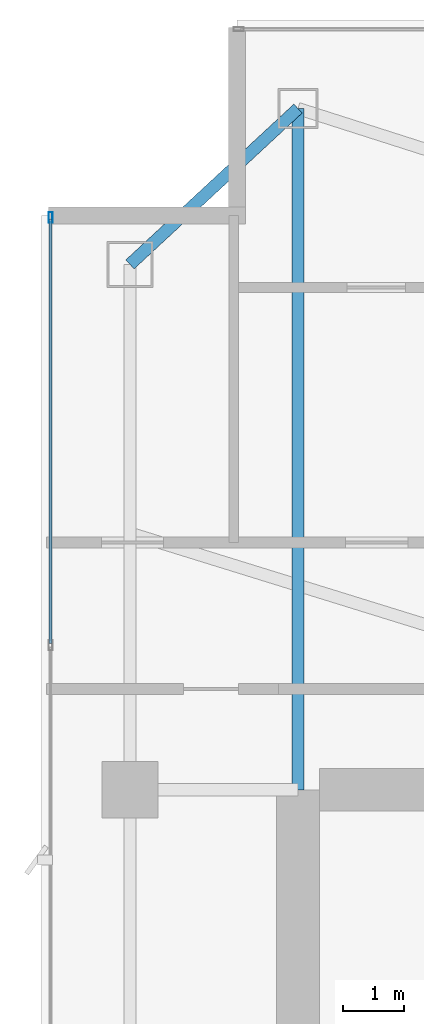
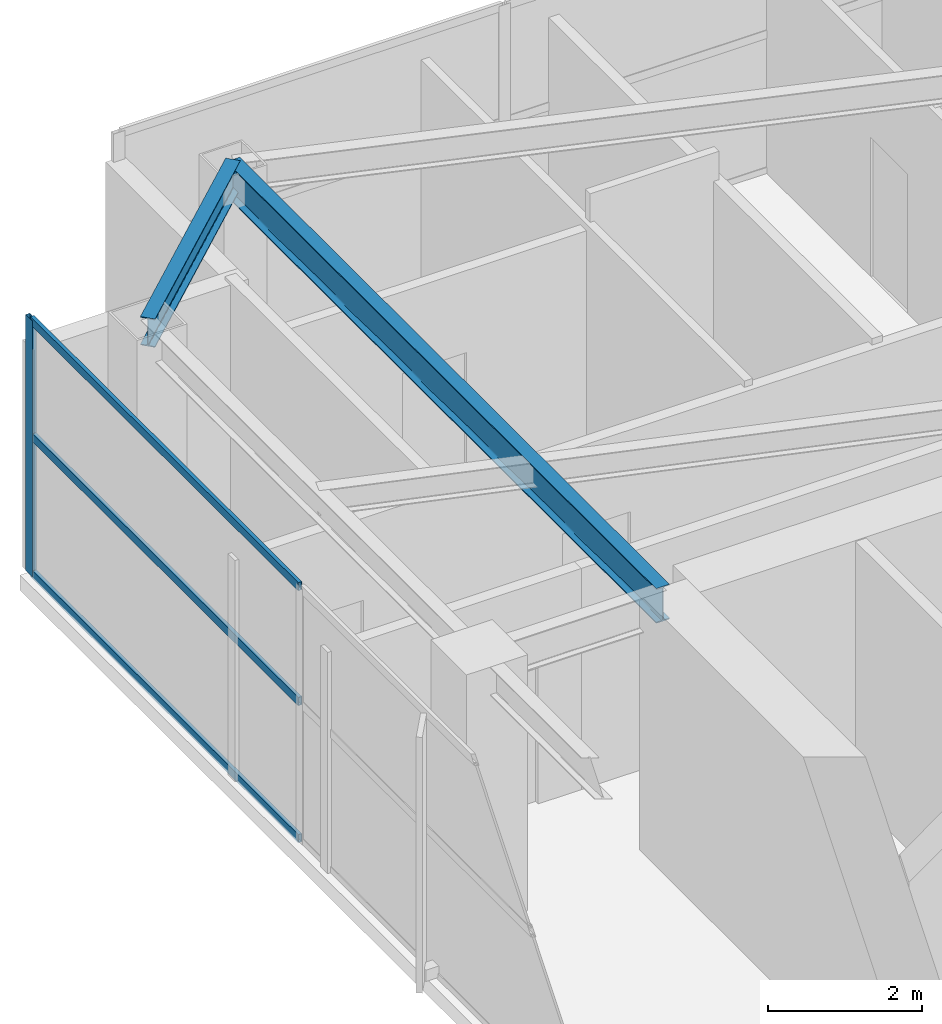
# One storey, part 17 of 29: 4 members, 2 beams, 1 element without a shape of its own.
"""IFC4 building model written with IfcOpenShell, lengths in metres."""

from ifc_helpers import new_model, si_unit, direction, frame, origin, origin_2d, place, context, subcontext, project, spatial, hollow_rectangle, i_section, extrude, material, layer, layer_set, material_profile, profile_set, type_object, element, aggregate, save


model = new_model("IFC4")

# Units and contexts
model_context = context("Model", 3, precision=1e-05, world=origin(), true_north=direction((0.0, 1.0)))
body_context = subcontext(model_context, "Body", "Model", "MODEL_VIEW")
ifc_project = project(units=[si_unit("LENGTHUNIT", "METRE"), si_unit("AREAUNIT", "SQUARE_METRE"), si_unit("VOLUMEUNIT", "CUBIC_METRE"), si_unit("PLANEANGLEUNIT", "RADIAN"), si_unit("MASSUNIT", "GRAM", prefix="KILO")], contexts=[model_context])

# Site, building, storey
site_placement = place(None, origin())
site = spatial("IfcSite", under=ifc_project, at=site_placement, CompositionType="ELEMENT")
building_placement = place(site_placement, origin())
building = spatial("IfcBuilding", under=site, at=building_placement, Name="Calvorn Quay Hotel", CompositionType="ELEMENT")
storey_placement = place(building_placement, frame((0.0, 0.0, 259.0)))
storey = spatial("IfcBuildingStorey", under=building, at=storey_placement, Name="L64", CompositionType="ELEMENT", Elevation=259.0)

# Beams
ifc_material_1 = material(Name="Steel Q355B", Category="steel")
ifc_material_profile_1 = material_profile(ifc_material_1, i_section(OverallWidth=0.199951171875, OverallDepth=0.550048828125, WebThickness=0.010009765625, FlangeThickness=0.01611328125, FilletRadius=0.01806640625, at=origin_2d()), Name="HN550x200x10x16")
ifc_profile_set_1 = profile_set([ifc_material_profile_1], Name="Steel Q355B")
beam_type_1 = type_object("IfcBeamType", Name="BM-GIRD-UPP", PredefinedType="BEAM", material=ifc_profile_set_1)
beam_1_placement = place(storey_placement, frame((4.199951171875, 49.550048828125, 3.77490234375), z_axis=(0.0, -1.0, 0.0), x_axis=(1.0, 0.0, 0.0)))
element("IfcBeam", 1, at=beam_1_placement, inside=storey, type_object=beam_type_1, Name="Beam BG-L64-W5", PredefinedType="BEAM", context=body_context, shape_type="SweptSolid", body=[
    extrude(i_section(OverallWidth=0.199951171875, OverallDepth=0.550048828125, WebThickness=0.010009765625, FlangeThickness=0.01611328125, FilletRadius=0.01806640625, at=origin_2d()), origin(), (0.0, 0.0, 1.0), 11.150146484375),
])
ifc_material_2 = material(Name="Steel Q355B", Category="steel")
ifc_material_profile_2 = material_profile(ifc_material_2, i_section(OverallWidth=0.199951171875, OverallDepth=0.449951171875, WebThickness=0.009033203125, FlangeThickness=0.013916015625, FilletRadius=0.01611328125, at=origin_2d()), Name="HN450x200x9x14")
ifc_profile_set_2 = profile_set([ifc_material_profile_2], Name="Steel Q355B")
beam_type_2 = type_object("IfcBeamType", Name="BM-SPANDREL-Z3", PredefinedType="SPANDREL", material=ifc_profile_set_2)
beam_2_placement = place(storey_placement, frame((1.449951171875, 47.0, 3.824951171875), z_axis=(0.733261665538, 0.679946563969, 0.0), x_axis=(-0.679946563969, 0.733261665538, 0.0)))
element("IfcBeam", 2, at=beam_2_placement, inside=storey, type_object=beam_type_2, Name="Beam BSP-L64-W5", PredefinedType="SPANDREL", context=body_context, shape_type="SweptSolid", body=[
    extrude(i_section(OverallWidth=0.199951171875, OverallDepth=0.449951171875, WebThickness=0.009033203125, FlangeThickness=0.013916015625, FilletRadius=0.01611328125, at=origin_2d()), origin(), (0.0, 0.0, 1.0), 3.75048828125),
])

# Curtain wall, members
ifc_material_3 = material(Name="Champagne Bronze Anodised Aluminium and Low-E Glass", Category="aluminium")
ifc_layer = layer(ifc_material_3, 0.219970703125)
ifc_layer_set = layer_set([ifc_layer], Name="CW-SYS-Z4")
curtain_wall_type = type_object("IfcCurtainWallType", Name="CW-SYS-Z4", PredefinedType="NOTDEFINED", material=ifc_layer_set)
curtain_wall_placement = place(storey_placement, origin())
curtain_wall = element("IfcCurtainWall", 3, at=curtain_wall_placement, inside=storey, type_object=curtain_wall_type, Name="Tower West Curtain Wall (L64)", PredefinedType="NOTDEFINED")
ifc_material_4 = material(Name="Champagne Bronze Anodised Aluminium 6063-T6", Category="aluminium")
ifc_material_profile_3 = material_profile(ifc_material_4, hollow_rectangle(XDim=0.06494140625, YDim=0.169921875, WallThickness=0.00341796875, at=origin_2d()), Name="ALU-M170x65x3.5")
ifc_profile_set_3 = profile_set([ifc_material_profile_3], Name="Champagne Bronze Anodised Aluminium 6063-T6")
member_type_1 = type_object("IfcMemberType", Name="CW-SYS-Z4-MUL", PredefinedType="MULLION", material=ifc_profile_set_3)
member_1_placement = place(storey_placement, frame((0.14990234375, 47.77001953125, 0.0), z_axis=(0.0, 0.0, 1.0), x_axis=(-1.0, 0.0, 0.0)))
member_1 = element("IfcMember", 4, at=member_1_placement, type_object=member_type_1, Name="CW-L64-W mullion 7", PredefinedType="MULLION", context=body_context, shape_type="SweptSolid", body=[
    extrude(hollow_rectangle(XDim=0.06494140625, YDim=0.169921875, WallThickness=0.00341796875, at=origin_2d()), origin(), (0.0, 0.0, 1.0), 4.050048828125),
])
ifc_material_5 = material(Name="Champagne Bronze Anodised Aluminium 6063-T6", Category="aluminium")
ifc_material_profile_4 = material_profile(ifc_material_5, hollow_rectangle(XDim=0.054931640625, YDim=0.1298828125, WallThickness=0.003173828125, at=origin_2d()), Name="ALU-T130x55x3.2")
ifc_profile_set_4 = profile_set([ifc_material_profile_4], Name="Champagne Bronze Anodised Aluminium 6063-T6")
member_type_2 = type_object("IfcMemberType", Name="CW-SYS-Z4-TRN", PredefinedType="USERDEFINED", material=ifc_profile_set_4)
member_2_placement = place(storey_placement, frame((0.14990234375, 40.796630859375, 0.030029296875), z_axis=(0.0, 1.0, 0.0), x_axis=(-1.0, 0.0, 0.0)))
member_2 = element("IfcMember", 5, at=member_2_placement, type_object=member_type_2, Name="CW-L64-W transom 6.1", ObjectType="TRANSOM", PredefinedType="USERDEFINED", context=body_context, shape_type="SweptSolid", body=[
    extrude(hollow_rectangle(XDim=0.054931640625, YDim=0.1298828125, WallThickness=0.003173828125, at=origin_2d()), origin(), (0.0, 0.0, 1.0), 6.943359375),
])
member_3_placement = place(storey_placement, frame((0.14990234375, 40.796630859375, 2.199951171875), z_axis=(0.0, 1.0, 0.0), x_axis=(-1.0, 0.0, 0.0)))
member_3 = element("IfcMember", 6, at=member_3_placement, type_object=member_type_2, Name="CW-L64-W transom 6.2", ObjectType="TRANSOM", PredefinedType="USERDEFINED", context=body_context, shape_type="SweptSolid", body=[
    extrude(hollow_rectangle(XDim=0.054931640625, YDim=0.1298828125, WallThickness=0.003173828125, at=origin_2d()), origin(), (0.0, 0.0, 1.0), 6.943359375),
])
member_4_placement = place(storey_placement, frame((0.14990234375, 40.796630859375, 4.02001953125), z_axis=(0.0, 1.0, 0.0), x_axis=(-1.0, 0.0, 0.0)))
member_4 = element("IfcMember", 7, at=member_4_placement, type_object=member_type_2, Name="CW-L64-W transom 6.3", ObjectType="TRANSOM", PredefinedType="USERDEFINED", context=body_context, shape_type="SweptSolid", body=[
    extrude(hollow_rectangle(XDim=0.054931640625, YDim=0.1298828125, WallThickness=0.003173828125, at=origin_2d()), origin(), (0.0, 0.0, 1.0), 6.943359375),
])
aggregate(curtain_wall, [member_1, member_2, member_3, member_4])

save(model, "model.ifc")
